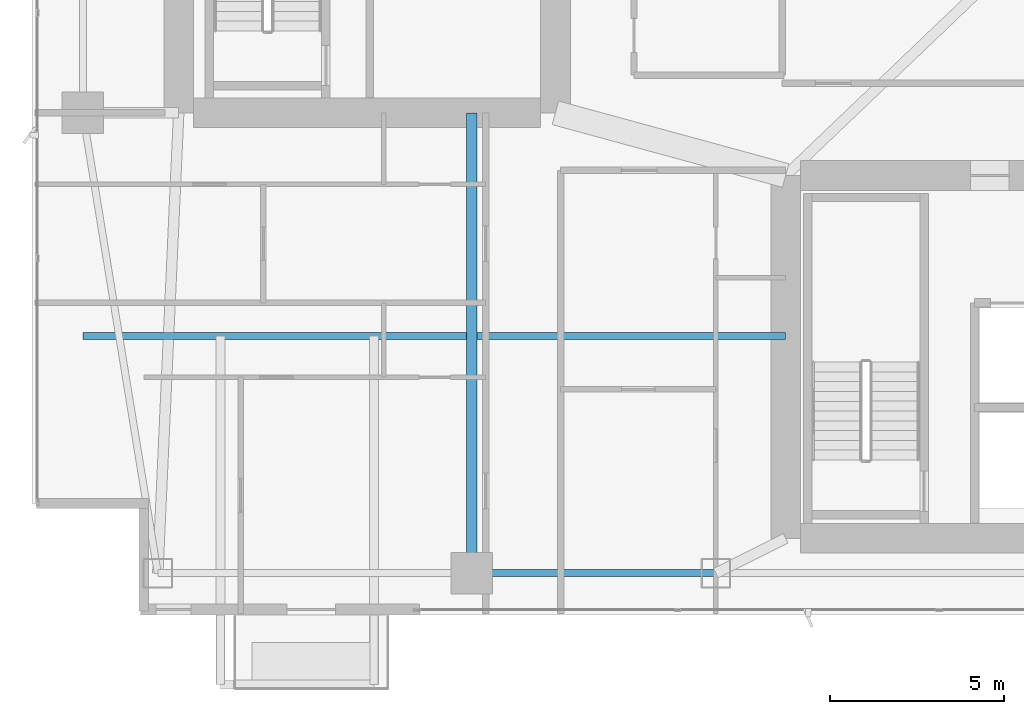
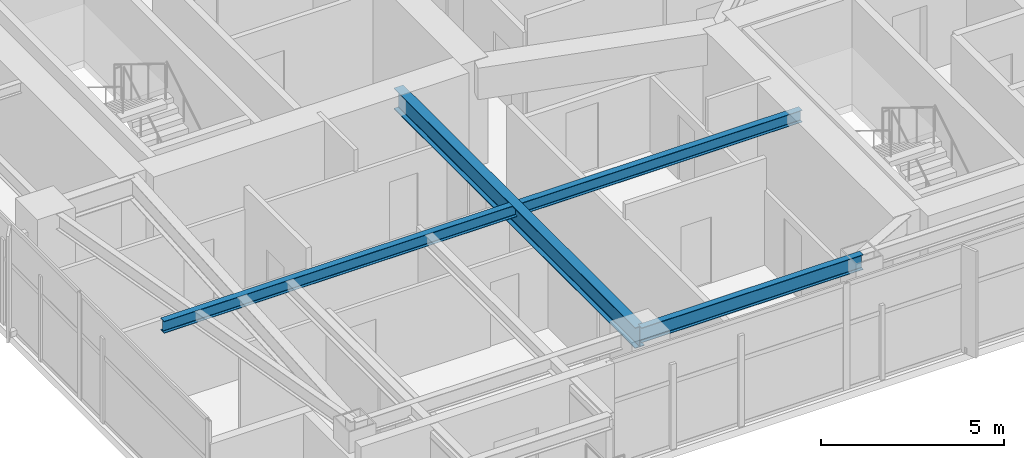
# One storey, part 5 of 28: 3 beams.
"""IFC4 building model written with IfcOpenShell, lengths in metres."""

from ifc_helpers import new_model, si_unit, direction, frame, origin, origin_2d, place, context, subcontext, project, spatial, i_section, extrude, material, material_profile, profile_set, type_object, element, save


model = new_model("IFC4")

# Units and contexts
model_context = context("Model", 3, precision=1e-05, world=origin(), true_north=direction((0.0, 1.0)))
body_context = subcontext(model_context, "Body", "Model", "MODEL_VIEW")
ifc_project = project(units=[si_unit("LENGTHUNIT", "METRE"), si_unit("AREAUNIT", "SQUARE_METRE"), si_unit("VOLUMEUNIT", "CUBIC_METRE"), si_unit("PLANEANGLEUNIT", "RADIAN"), si_unit("MASSUNIT", "GRAM", prefix="KILO")], contexts=[model_context])

# Site, building, storey
site_placement = place(None, origin())
site = spatial("IfcSite", under=ifc_project, at=site_placement, CompositionType="ELEMENT")
building_placement = place(site_placement, origin())
building = spatial("IfcBuilding", under=site, at=building_placement, Name="Calvorn Quay Hotel", CompositionType="ELEMENT")
storey_placement = place(building_placement, frame((0.0, 0.0, 108.800048828125)))
storey = spatial("IfcBuildingStorey", under=building, at=storey_placement, Name="L26", CompositionType="ELEMENT", Elevation=108.800048828125)

# Beams
ifc_material_1 = material(Name="Steel Q390GJC", Category="steel")
ifc_material_profile_1 = material_profile(ifc_material_1, i_section(OverallWidth=0.300048828125, OverallDepth=0.699951171875, WebThickness=0.012939453125, FlangeThickness=0.02392578125, FilletRadius=0.02392578125, at=origin_2d()), Name="HN700x300x13x24")
ifc_profile_set_1 = profile_set([ifc_material_profile_1], Name="Steel Q390GJC")
beam_type_1 = type_object("IfcBeamType", Name="BM-GIRD-MAIN", PredefinedType="BEAM", material=ifc_profile_set_1)
beam_1_placement = place(storey_placement, frame((12.60009765625, 3.60009765625, 3.18994140625), z_axis=(0.0, 1.0, 0.0), x_axis=(-1.0, 0.0, 0.0)))
element("IfcBeam", 1, at=beam_1_placement, inside=storey, type_object=beam_type_1, Name="Beam BG-L26-S1", PredefinedType="BEAM", context=body_context, shape_type="SweptSolid", body=[
    extrude(i_section(OverallWidth=0.300048828125, OverallDepth=0.699951171875, WebThickness=0.012939453125, FlangeThickness=0.02392578125, FilletRadius=0.02392578125, at=origin_2d()), origin(), (0.0, 0.0, 1.0), 13.199951171875),
])
ifc_material_2 = material(Name="Steel Q355B", Category="steel")
ifc_material_profile_2 = material_profile(ifc_material_2, i_section(OverallWidth=0.199951171875, OverallDepth=0.39990234375, WebThickness=0.008056640625, FlangeThickness=0.012939453125, FilletRadius=0.01611328125, at=origin_2d()), Name="HN400x200x8x13")
ifc_profile_set_2 = profile_set([ifc_material_profile_2], Name="Steel Q355B")
beam_type_2 = type_object("IfcBeamType", Name="BM-JOIST-TYP", PredefinedType="JOIST", material=ifc_profile_set_2)
beam_2_placement = place(storey_placement, frame((1.449951171875, 10.39990234375, 3.33984375), z_axis=(1.0, 0.0, 0.0), x_axis=(0.0, 1.0, 0.0)))
element("IfcBeam", 2, at=beam_2_placement, inside=storey, type_object=beam_type_2, Name="Beam BJ-L26-W1", PredefinedType="JOIST", context=body_context, shape_type="SweptSolid", body=[
    extrude(i_section(OverallWidth=0.199951171875, OverallDepth=0.39990234375, WebThickness=0.008056640625, FlangeThickness=0.012939453125, FilletRadius=0.01611328125, at=origin_2d()), origin(), (0.0, 0.0, 1.0), 20.150146484375),
])
ifc_material_3 = material(Name="Steel Q355B", Category="steel")
ifc_material_profile_3 = material_profile(ifc_material_3, i_section(OverallWidth=0.199951171875, OverallDepth=0.5, WebThickness=0.010009765625, FlangeThickness=0.01611328125, FilletRadius=0.01611328125, at=origin_2d()), Name="HN500x200x10x16")
ifc_profile_set_3 = profile_set([ifc_material_profile_3], Name="Steel Q355B")
beam_type_3 = type_object("IfcBeamType", Name="BM-SPANDREL-Z1", PredefinedType="SPANDREL", material=ifc_profile_set_3)
beam_3_placement = place(storey_placement, frame((12.60009765625, 3.60009765625, 3.2900390625), z_axis=(1.0, 0.0, 0.0), x_axis=(0.0, 1.0, 0.0)))
element("IfcBeam", 3, at=beam_3_placement, inside=storey, type_object=beam_type_3, Name="Beam BSP-L26-S2", PredefinedType="SPANDREL", context=body_context, shape_type="SweptSolid", body=[
    extrude(i_section(OverallWidth=0.199951171875, OverallDepth=0.5, WebThickness=0.010009765625, FlangeThickness=0.01611328125, FilletRadius=0.01611328125, at=origin_2d()), origin(), (0.0, 0.0, 1.0), 7.0),
])

save(model, "model.ifc")
